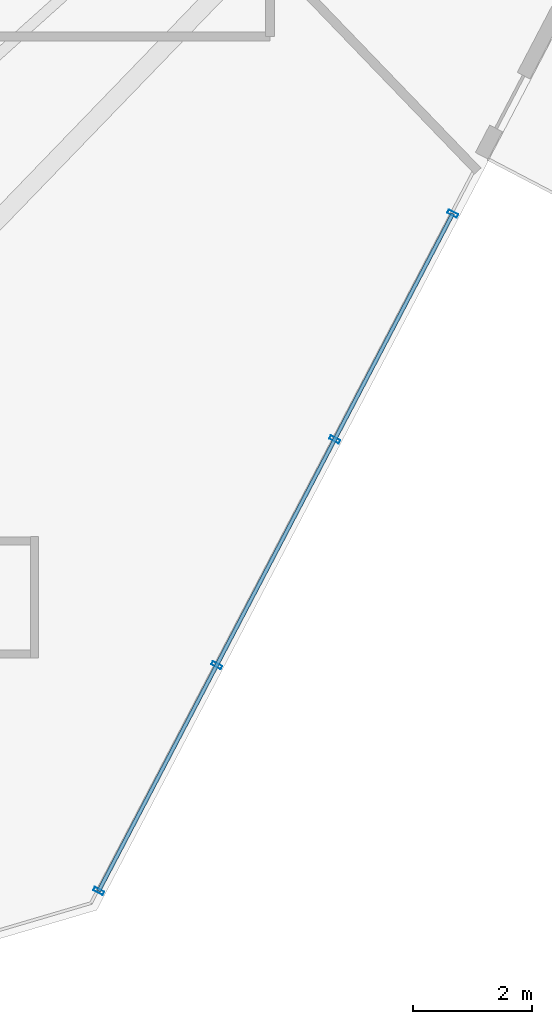
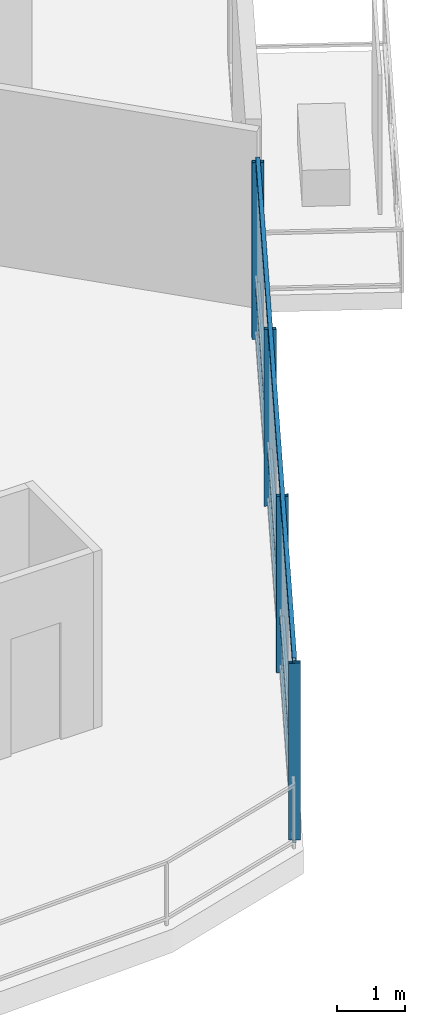
# One storey, part 9 of 25: 7 members, 1 element without a shape of its own.
"""IFC4 building model written with IfcOpenShell, lengths in metres."""

import ifcopenshell
import ifcopenshell.guid

model = None  # the IFC model being written
_history = None  # IfcOwnerHistory: only IFC2X3 demands one
_inside = {}  # id of a spatial element -> (the spatial element, [elements in it])
_under = {}  # id of a project, library or spatial element -> (it, [spatial elements below it])
_declared = {}  # id of a project -> (the project, [libraries it declares])
_typed = {}  # id of a type object -> (the type object, [elements of that type])
_made_of = {}  # id of a material, layer set ... -> (it, [elements and type objects made of it])


def new_model(schema):
    """Start an empty IFC model of exactly this schema.

    Asked for "IFC4X3", IfcOpenShell would pick the latest addendum, in which some entities
    have other attributes; the version numbers below select the first issue.
    IFC2X3 requires an IfcOwnerHistory on every rooted entity: one is made here for all.
    """
    global model, _history
    if schema == "IFC4X3":
        model = ifcopenshell.file(schema_version=(4, 3, 0, 0))
    else:
        model = ifcopenshell.file(schema=schema)
    _inside.clear()
    _under.clear()
    _declared.clear()
    _typed.clear()
    _made_of.clear()
    _history = None
    if model.schema == "IFC2X3":
        org = make("IfcOrganization", Name="unknown")
        user = make(
            "IfcPersonAndOrganization",
            ThePerson=make("IfcPerson", FamilyName="unknown"),
            TheOrganization=org,
        )
        app = make(
            "IfcApplication",
            ApplicationDeveloper=org,
            Version="unknown",
            ApplicationFullName="unknown",
            ApplicationIdentifier="unknown",
        )
        _history = make(
            "IfcOwnerHistory",
            OwningUser=user,
            OwningApplication=app,
            ChangeAction="ADDED",
            CreationDate=0,
        )
    return model


def make(cls, **values):
    """One entity of the class cls with the attributes given. An attribute that is None is left unset."""
    return model.create_entity(
        cls, **{name: value for name, value in values.items() if value is not None}
    )


def rooted(cls, **values):
    """An entity with a GlobalId (a new one), such as an element, a storey or a relation."""
    return make(cls, GlobalId=ifcopenshell.guid.new(), OwnerHistory=_history, **values)


def si_unit(unit_type, name, prefix=None):
    """IfcSIUnit, for example si_unit("LENGTHUNIT", "METRE", prefix="MILLI")."""
    return make("IfcSIUnit", UnitType=unit_type, Prefix=prefix, Name=name)


def assignment(units):
    """IfcUnitAssignment: the units of a project."""
    return None if units is None else make("IfcUnitAssignment", Units=units)


def point(xyz):
    """IfcCartesianPoint."""
    return None if xyz is None else make("IfcCartesianPoint", Coordinates=xyz)


def direction(xyz):
    """IfcDirection."""
    return None if xyz is None else make("IfcDirection", DirectionRatios=xyz)


def frame(location, z_axis=None, x_axis=None):
    """IfcAxis2Placement3D, a coordinate frame: its origin and axes. An axis left out is left unset."""
    return make(
        "IfcAxis2Placement3D",
        Location=point(location),
        Axis=direction(z_axis),
        RefDirection=direction(x_axis),
    )


def frame_2d(location, x_axis=None):
    """IfcAxis2Placement2D, a coordinate frame in the plane: its origin and x axis."""
    return make(
        "IfcAxis2Placement2D", Location=point(location), RefDirection=direction(x_axis)
    )


def origin():
    """The frame at (0, 0, 0) with its axes left unset."""
    return frame((0.0, 0.0, 0.0))


def origin_2d():
    """The frame at (0, 0) in the plane with its x axis left unset."""
    return frame_2d((0.0, 0.0))


def place(relative_to, where):
    """IfcLocalPlacement: puts the frame where relative to a parent placement (None: the world)."""
    return make(
        "IfcLocalPlacement", PlacementRelTo=relative_to, RelativePlacement=where
    )


def context(
    kind, dimensions, precision=None, world=None, true_north=None, identifier=None
):
    """IfcGeometricRepresentationContext, for example the 3D "Model" context."""
    return make(
        "IfcGeometricRepresentationContext",
        ContextIdentifier=identifier,
        ContextType=kind,
        CoordinateSpaceDimension=dimensions,
        Precision=precision,
        WorldCoordinateSystem=world,
        TrueNorth=true_north,
    )


def subcontext(parent, identifier, kind, view, scale=None):
    """IfcGeometricRepresentationSubContext, for example "Body" below "Model"."""
    return make(
        "IfcGeometricRepresentationSubContext",
        ContextIdentifier=identifier,
        ContextType=kind,
        ParentContext=parent,
        TargetScale=scale,
        TargetView=view,
    )


def project(units=None, contexts=None):
    """IfcProject with its units and contexts."""
    return rooted(
        "IfcProject",
        Name="project",
        RepresentationContexts=contexts,
        UnitsInContext=assignment(units),
    )


def spatial(cls, under=None, at=None, **own):
    """A site, building, storey or space (cls), placed at a placement, below another one or the project."""
    s = rooted(cls, ObjectPlacement=at, **own)
    if under is not None:
        _under.setdefault(under.id(), (under, []))[1].append(s)
    return s


def profile(cls, at=None, kind="AREA", **sizes):
    """A parametric profile (cls). Its sizes go by their IFC names, for example OverallWidth=200.0."""
    return make(cls, ProfileType=kind, Position=at, **sizes)


def hollow_rectangle(**sizes):
    """IfcRectangleHollowProfileDef."""
    return profile("IfcRectangleHollowProfileDef", **sizes)


def extrude(swept, where, along, depth):
    """IfcExtrudedAreaSolid: the profile swept, set in the frame where, extruded along a direction by depth."""
    return make(
        "IfcExtrudedAreaSolid",
        SweptArea=swept,
        Position=where,
        ExtrudedDirection=direction(along),
        Depth=depth,
    )


def shape(context_of_items, identifier, shape_type, items):
    """IfcShapeRepresentation: the items that make up one representation, for example the "Body"."""
    return make(
        "IfcShapeRepresentation",
        ContextOfItems=context_of_items,
        RepresentationIdentifier=identifier,
        RepresentationType=shape_type,
        Items=items,
    )


def material(Name=None, Category=None):
    """IfcMaterial."""
    return make("IfcMaterial", Name=Name, Category=Category)


def layer(
    of_material, thickness, ventilated=None, Name=None, Category=None, Priority=None
):
    """IfcMaterialLayer: one layer of a wall or slab, of a material (None: an air gap)."""
    return make(
        "IfcMaterialLayer",
        Material=of_material,
        LayerThickness=thickness,
        IsVentilated=ventilated,
        Name=Name,
        Category=Category,
        Priority=Priority,
    )


def layer_set(layers, Name=None):
    """IfcMaterialLayerSet."""
    return make("IfcMaterialLayerSet", MaterialLayers=layers, LayerSetName=Name)


def material_profile(
    of_material, cross_section, Name=None, Category=None, Priority=None
):
    """IfcMaterialProfile: a cross section and its material."""
    return make(
        "IfcMaterialProfile",
        Name=Name,
        Material=of_material,
        Profile=cross_section,
        Priority=Priority,
        Category=Category,
    )


def profile_set(profiles, Name=None, composite=None):
    """IfcMaterialProfileSet."""
    return make(
        "IfcMaterialProfileSet",
        Name=Name,
        MaterialProfiles=profiles,
        CompositeProfile=composite,
    )


def made_of(thing, what):
    """Note that an element or type object is made of a material, layer set ...; save() writes the relation."""
    if what is not None:
        _made_of.setdefault(what.id(), (what, []))[1].append(thing)
    return thing


def type_object(cls, material=None, **own):
    """A type object (cls), such as IfcWallType, which elements share."""
    return made_of(rooted(cls, **own), material)


def element(
    cls,
    number,
    at=None,
    inside=None,
    cuts=None,
    type_object=None,
    material=None,
    context=None,
    identifier="Body",
    shape_type=None,
    held_by="IfcProductDefinitionShape",
    body=None,
    shapes=None,
    **own,
):
    """One element of the class cls, such as IfcWall. Its Tag is "e" and its number.

    at: its placement. inside: the storey or other place that contains it. cuts: it is an
    opening in that element (IfcRelVoidsElement). A single representation is given by context,
    identifier, shape_type and body (its items); several are given by shapes. held_by: the class
    of the entity that holds the representations. save() writes the other relations.
    """
    e = rooted(cls, Tag="e%d" % number, ObjectPlacement=at, **own)
    if body is not None:
        shapes = [shape(context, identifier, shape_type, body)]
    if shapes is not None:
        e.Representation = make(held_by, Representations=shapes)
    if inside is not None:
        _inside.setdefault(inside.id(), (inside, []))[1].append(e)
    if cuts is not None:
        rooted(
            "IfcRelVoidsElement", RelatingBuildingElement=cuts, RelatedOpeningElement=e
        )
    if type_object is not None:
        _typed.setdefault(type_object.id(), (type_object, []))[1].append(e)
    return made_of(e, material)


def aggregate(whole, parts):
    """IfcRelAggregates: a whole, such as a stair, and the parts it consists of."""
    return rooted("IfcRelAggregates", RelatingObject=whole, RelatedObjects=parts)


def save(model, path):
    """Write the relations noted so far, then the file.

    IfcRelAggregates (storeys below a building ...), IfcRelContainedInSpatialStructure (elements
    in a storey), IfcRelDefinesByType, IfcRelAssociatesMaterial and IfcRelDeclares: one each for
    every whole, place, type object, material and project.
    """
    for whole, parts in _under.values():
        aggregate(whole, parts)
    for where, things in _inside.values():
        rooted(
            "IfcRelContainedInSpatialStructure",
            RelatedElements=things,
            RelatingStructure=where,
        )
    for kind, things in _typed.values():
        rooted("IfcRelDefinesByType", RelatedObjects=things, RelatingType=kind)
    for what, things in _made_of.values():
        rooted("IfcRelAssociatesMaterial", RelatedObjects=things, RelatingMaterial=what)
    for by, libraries in _declared.values():
        rooted("IfcRelDeclares", RelatingContext=by, RelatedDefinitions=libraries)
    model.write(path)


model = new_model("IFC4")

# Units and contexts
model_context = context("Model", 3, precision=1e-05, world=origin(), true_north=direction((0.0, 1.0)))
body_context = subcontext(model_context, "Body", "Model", "MODEL_VIEW")
ifc_project = project(units=[si_unit("LENGTHUNIT", "METRE"), si_unit("AREAUNIT", "SQUARE_METRE"), si_unit("VOLUMEUNIT", "CUBIC_METRE"), si_unit("PLANEANGLEUNIT", "RADIAN"), si_unit("MASSUNIT", "GRAM", prefix="KILO")], contexts=[model_context])

# Site, building, storey
site_placement = place(None, origin())
site = spatial("IfcSite", under=ifc_project, at=site_placement, CompositionType="ELEMENT")
building_placement = place(site_placement, origin())
building = spatial("IfcBuilding", under=site, at=building_placement, Name="Qarnah Convention Tower", CompositionType="ELEMENT")
storey_placement = place(building_placement, frame((0.0, 0.0, 76.35009765625)))
storey = spatial("IfcBuildingStorey", under=building, at=storey_placement, Name="L19", CompositionType="ELEMENT", Elevation=76.35009765625)

# Curtain wall, members
ifc_material_1 = material(Name="Tempered Low-E dark glass", Category="glass")
ifc_layer = layer(ifc_material_1, 0.169921875)
ifc_layer_set = layer_set([ifc_layer], Name="Tempered Low-E dark glass")
curtain_wall_type = type_object("IfcCurtainWallType", Name="CWS-02", PredefinedType="NOTDEFINED", material=ifc_layer_set)
curtain_wall_placement = place(storey_placement, origin())
curtain_wall = element("IfcCurtainWall", 1, at=curtain_wall_placement, inside=storey, type_object=curtain_wall_type, Name="L19 unitised curtain wall CW-L19-F2", PredefinedType="NOTDEFINED")
ifc_material_2 = material(Name="Black anodised aluminium", Category="aluminium")
ifc_material_profile_1 = material_profile(ifc_material_2, hollow_rectangle(XDim=0.06494140625, YDim=0.179931640625, WallThickness=0.00390625, at=origin_2d()), Name="MUL-65X180")
ifc_profile_set_1 = profile_set([ifc_material_profile_1], Name="Black anodised aluminium")
member_type_1 = type_object("IfcMemberType", Name="MUL-T2", PredefinedType="MULLION", material=ifc_profile_set_1)
member_1_placement = place(storey_placement, frame((52.47412109375, 13.822998046875, 0.0), z_axis=(0.0, 0.0, 1.0), x_axis=(-0.463244482257, -0.886230528507, 0.0)))
member_1 = element("IfcMember", 2, at=member_1_placement, type_object=member_type_1, Name="CW-L19-F2 mullion 1", PredefinedType="MULLION", context=body_context, shape_type="SweptSolid", body=[
    extrude(hollow_rectangle(XDim=0.06494140625, YDim=0.179931640625, WallThickness=0.00390625, at=origin_2d()), origin(), (0.0, 0.0, 1.0), 3.169921875),
])
member_2_placement = place(storey_placement, frame((50.490966796875, 10.029296875, 0.0), z_axis=(0.0, 0.0, 1.0), x_axis=(-0.463244482257, -0.886230528507, 0.0)))
member_2 = element("IfcMember", 3, at=member_2_placement, type_object=member_type_1, Name="CW-L19-F2 mullion 2", PredefinedType="MULLION", context=body_context, shape_type="SweptSolid", body=[
    extrude(hollow_rectangle(XDim=0.06494140625, YDim=0.179931640625, WallThickness=0.00390625, at=origin_2d()), origin(), (0.0, 0.0, 1.0), 3.169921875),
])
member_3_placement = place(storey_placement, frame((48.508056640625, 6.235595703125, 0.0), z_axis=(0.0, 0.0, 1.0), x_axis=(-0.463244482257, -0.886230528507, 0.0)))
member_3 = element("IfcMember", 4, at=member_3_placement, type_object=member_type_1, Name="CW-L19-F2 mullion 3", PredefinedType="MULLION", context=body_context, shape_type="SweptSolid", body=[
    extrude(hollow_rectangle(XDim=0.06494140625, YDim=0.179931640625, WallThickness=0.00390625, at=origin_2d()), origin(), (0.0, 0.0, 1.0), 3.169921875),
])
member_4_placement = place(storey_placement, frame((46.52490234375, 2.44189453125, 0.0), z_axis=(0.0, 0.0, 1.0), x_axis=(-0.463244482257, -0.886230528507, 0.0)))
member_4 = element("IfcMember", 5, at=member_4_placement, type_object=member_type_1, Name="CW-L19-F2 mullion 4", PredefinedType="MULLION", context=body_context, shape_type="SweptSolid", body=[
    extrude(hollow_rectangle(XDim=0.06494140625, YDim=0.179931640625, WallThickness=0.00390625, at=origin_2d()), origin(), (0.0, 0.0, 1.0), 3.169921875),
])
ifc_material_profile_2 = material_profile(ifc_material_2, hollow_rectangle(XDim=0.06494140625, YDim=0.14990234375, WallThickness=0.00390625, at=origin_2d()), Name="TRN-65X150")
ifc_profile_set_2 = profile_set([ifc_material_profile_2], Name="Black anodised aluminium")
member_type_2 = type_object("IfcMemberType", Name="TRN-T2", PredefinedType="USERDEFINED", material=ifc_profile_set_2)
member_5_placement = place(storey_placement, frame((52.47412109375, 13.822998046875, 0.0), z_axis=(-0.463254548684, -0.886225266579, 0.0), x_axis=(0.886225266579, -0.463254548684, 0.0)))
member_5 = element("IfcMember", 6, at=member_5_placement, type_object=member_type_2, Name="CW-L19-F2 transom 1", ObjectType="TRANSOM", PredefinedType="USERDEFINED", context=body_context, shape_type="SweptSolid", body=[
    extrude(hollow_rectangle(XDim=0.06494140625, YDim=0.14990234375, WallThickness=0.00390625, at=origin_2d()), origin(), (0.0, 0.0, 1.0), 12.84228515625),
])
member_6_placement = place(storey_placement, frame((52.47412109375, 13.822998046875, 0.949951171875), z_axis=(-0.463254548684, -0.886225266579, 0.0), x_axis=(0.886225266579, -0.463254548684, 0.0)))
member_6 = element("IfcMember", 7, at=member_6_placement, type_object=member_type_2, Name="CW-L19-F2 transom 2", ObjectType="TRANSOM", PredefinedType="USERDEFINED", context=body_context, shape_type="SweptSolid", body=[
    extrude(hollow_rectangle(XDim=0.06494140625, YDim=0.14990234375, WallThickness=0.00390625, at=origin_2d()), origin(), (0.0, 0.0, 1.0), 12.84228515625),
])
member_7_placement = place(storey_placement, frame((52.47412109375, 13.822998046875, 3.169921875), z_axis=(-0.463254548684, -0.886225266579, 0.0), x_axis=(0.886225266579, -0.463254548684, 0.0)))
member_7 = element("IfcMember", 8, at=member_7_placement, type_object=member_type_2, Name="CW-L19-F2 transom 3", ObjectType="TRANSOM", PredefinedType="USERDEFINED", context=body_context, shape_type="SweptSolid", body=[
    extrude(hollow_rectangle(XDim=0.06494140625, YDim=0.14990234375, WallThickness=0.00390625, at=origin_2d()), origin(), (0.0, 0.0, 1.0), 12.84228515625),
])
aggregate(curtain_wall, [member_1, member_2, member_3, member_4, member_5, member_6, member_7])

save(model, "model.ifc")
